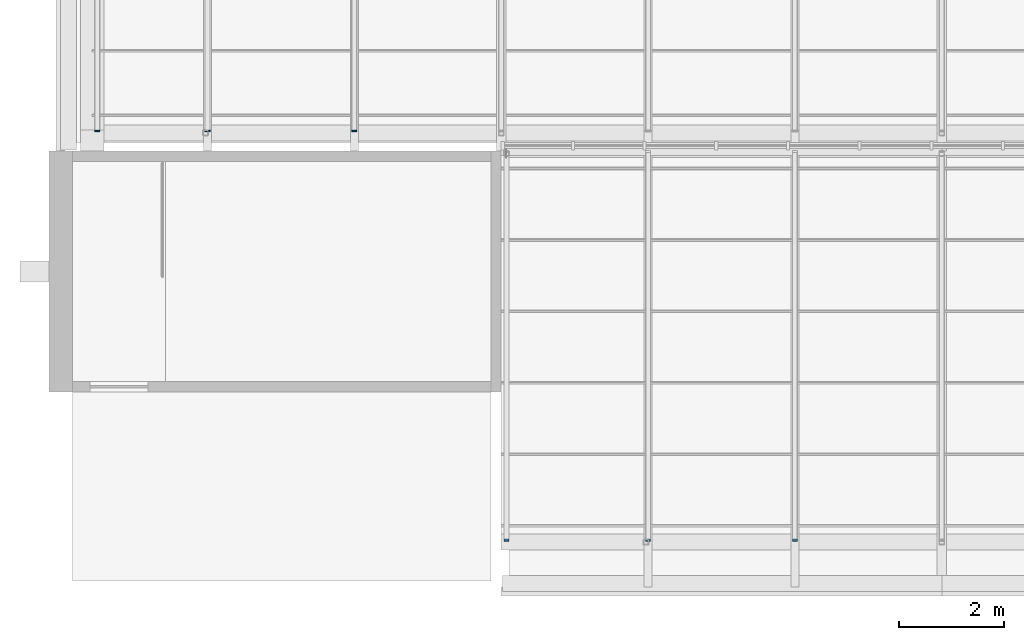
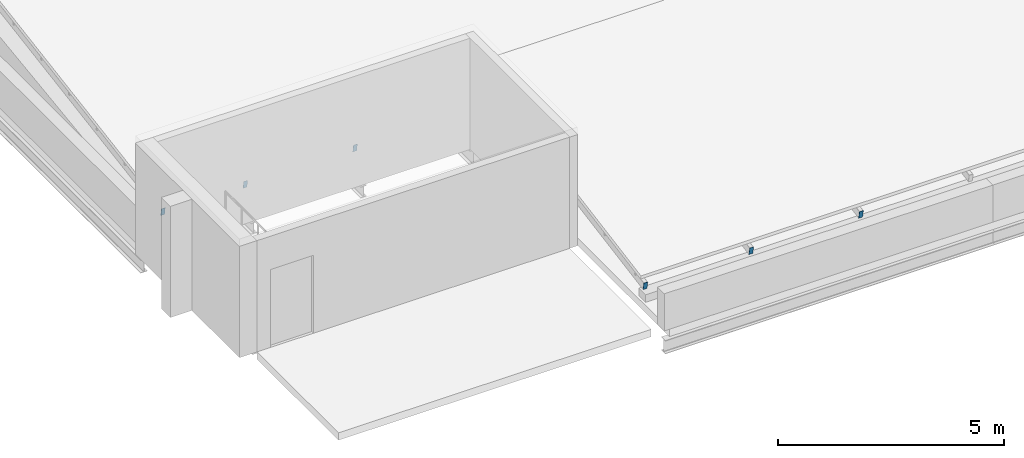
# One storey, part 32 of 42: 6 discrete accessories.
"""IFC4 building model written with IfcOpenShell, lengths in metres."""

from ifc_helpers import new_model, si_unit, direction, frame, origin, origin_2d, place, context, subcontext, project, spatial, rectangle, extrude, material, material_profile, profile_set, type_object, element, save


model = new_model("IFC4")

# Units and contexts
model_context = context("Model", 3, precision=1e-05, world=origin(), true_north=direction((0.0, 1.0)))
body_context = subcontext(model_context, "Body", "Model", "MODEL_VIEW")
ifc_project = project(units=[si_unit("LENGTHUNIT", "METRE"), si_unit("AREAUNIT", "SQUARE_METRE"), si_unit("VOLUMEUNIT", "CUBIC_METRE"), si_unit("PLANEANGLEUNIT", "RADIAN"), si_unit("MASSUNIT", "GRAM", prefix="KILO")], contexts=[model_context])

# Site, building, storey
site_placement = place(None, origin())
site = spatial("IfcSite", under=ifc_project, at=site_placement, CompositionType="ELEMENT")
building_placement = place(site_placement, origin())
building = spatial("IfcBuilding", under=site, at=building_placement, Name="Ardhachandra Cancer Care Centre", CompositionType="ELEMENT")
storey_placement = place(building_placement, frame((0.0, 0.0, 22.5)))
storey = spatial("IfcBuildingStorey", under=building, at=storey_placement, Name="L05", CompositionType="ELEMENT", Elevation=22.5)

# Discrete accessories
ifc_material = material(Name="Galvanised flat steel (Steel E250 (IS 2062))", Category="steel")
ifc_material_profile = material_profile(ifc_material, rectangle(XDim=0.10009765625, YDim=0.199951171875, at=origin_2d()), Name="Rafter end plate 200 x 100 x 8")
ifc_profile_set = profile_set([ifc_material_profile], Name="Galvanised flat steel (Steel E250 (IS 2062))")
discrete_accessory_type = type_object("IfcDiscreteAccessoryType", Name="Rafter end plate 200 x 100 x 8", PredefinedType="BRACKET", material=ifc_profile_set)
for number, where, z_axis, x_axis, name in (
    (1, (19.300048828125, 72.38232421875, 0.598388671875), (0.0, -0.982872186934, -0.18428853505), (1.0, 0.0, 0.0), "Rafter end plate NT1a.1.1"),
    (2, (22.0, 72.38232421875, 0.598388671875), (0.0, -0.982872186934, -0.18428853505), (1.0, 0.0, 0.0), "Rafter end plate NT1a.2.1"),
    (3, (24.800048828125, 72.38232421875, 0.598388671875), (0.0, -0.982872186934, -0.18428853505), (1.0, 0.0, 0.0), "Rafter end plate NT1a.3.1"),
    (4, (11.5, 80.183837890625, 0.5986328125), (0.0, -0.988715504225, -0.149805379428), (1.0, 0.0, 0.0), "Rafter end plate NT2a.1.1"),
    (5, (13.60009765625, 80.183837890625, 0.5986328125), (0.0, -0.988715504225, -0.149805379428), (1.0, 0.0, 0.0), "Rafter end plate NT2a.2.1"),
    (6, (16.39990234375, 80.183837890625, 0.5986328125), (0.0, -0.988715504225, -0.149805379428), (1.0, 0.0, 0.0), "Rafter end plate NT2a.3.1"),
):
    element("IfcDiscreteAccessory", number, at=place(storey_placement, frame(where, z_axis=z_axis, x_axis=x_axis)), inside=storey, type_object=discrete_accessory_type, Name=name, PredefinedType="BRACKET", context=body_context, shape_type="SweptSolid", body=[
        extrude(rectangle(XDim=0.10009765625, YDim=0.199951171875, at=origin_2d()), origin(), (0.0, 0.0, 1.0), 0.008056640625),
    ])

save(model, "model.ifc")
